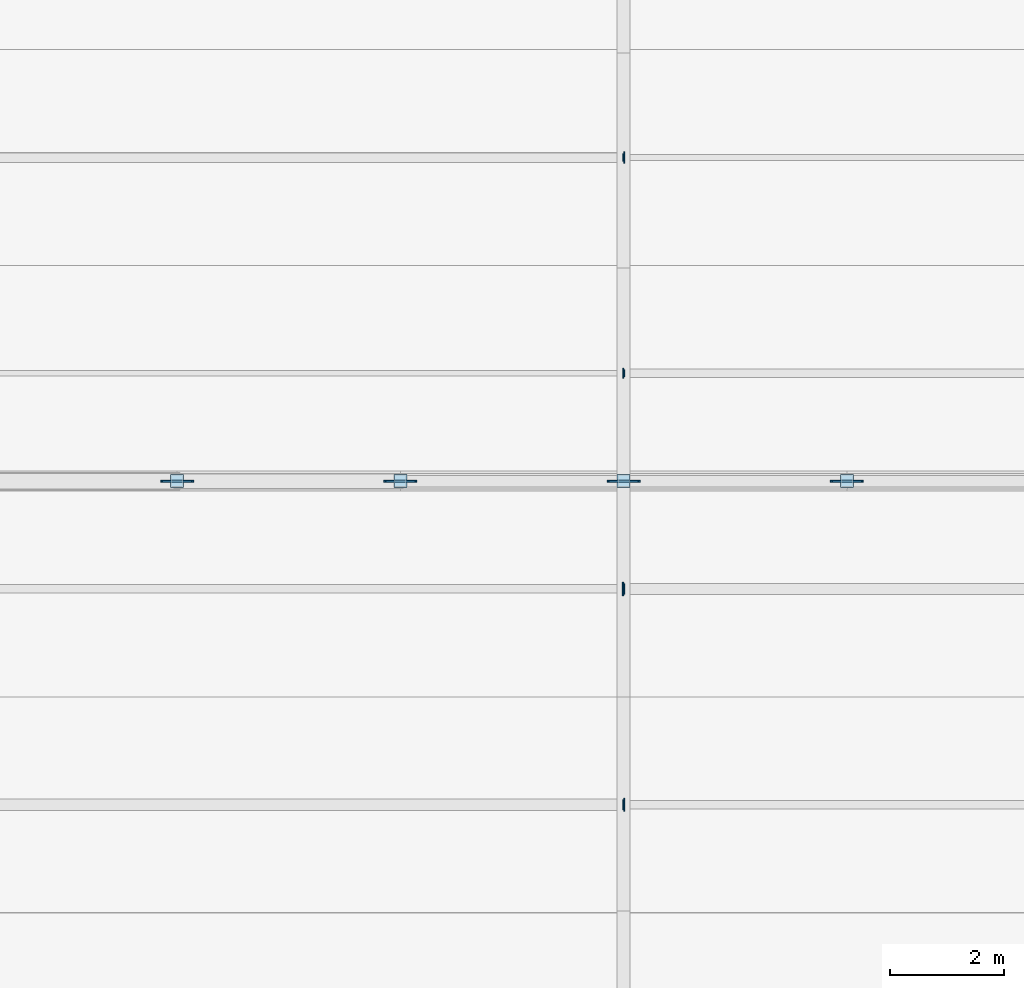
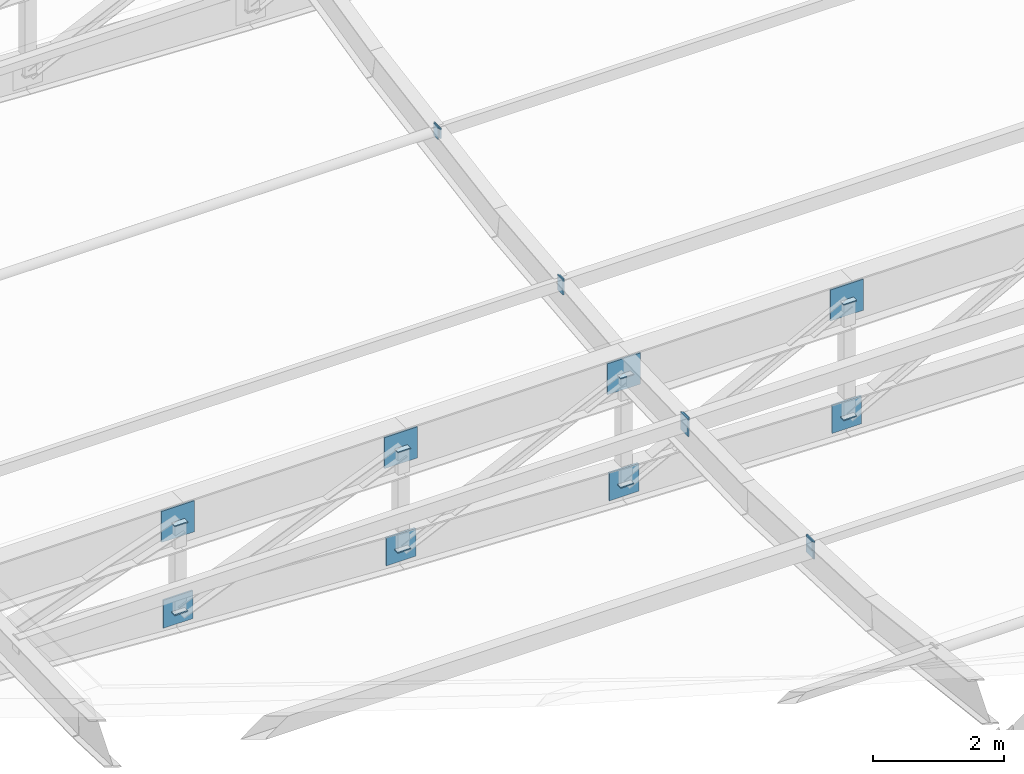
# One storey, part 47 of 65: 24 plates.
"""IFC4 building model written with IfcOpenShell, lengths in metres."""

import ifcopenshell
import ifcopenshell.guid

model = None  # the IFC model being written
_history = None  # IfcOwnerHistory: only IFC2X3 demands one
_inside = {}  # id of a spatial element -> (the spatial element, [elements in it])
_under = {}  # id of a project, library or spatial element -> (it, [spatial elements below it])
_declared = {}  # id of a project -> (the project, [libraries it declares])
_typed = {}  # id of a type object -> (the type object, [elements of that type])
_made_of = {}  # id of a material, layer set ... -> (it, [elements and type objects made of it])


def new_model(schema):
    """Start an empty IFC model of exactly this schema.

    Asked for "IFC4X3", IfcOpenShell would pick the latest addendum, in which some entities
    have other attributes; the version numbers below select the first issue.
    IFC2X3 requires an IfcOwnerHistory on every rooted entity: one is made here for all.
    """
    global model, _history
    if schema == "IFC4X3":
        model = ifcopenshell.file(schema_version=(4, 3, 0, 0))
    else:
        model = ifcopenshell.file(schema=schema)
    _inside.clear()
    _under.clear()
    _declared.clear()
    _typed.clear()
    _made_of.clear()
    _history = None
    if model.schema == "IFC2X3":
        org = make("IfcOrganization", Name="unknown")
        user = make(
            "IfcPersonAndOrganization",
            ThePerson=make("IfcPerson", FamilyName="unknown"),
            TheOrganization=org,
        )
        app = make(
            "IfcApplication",
            ApplicationDeveloper=org,
            Version="unknown",
            ApplicationFullName="unknown",
            ApplicationIdentifier="unknown",
        )
        _history = make(
            "IfcOwnerHistory",
            OwningUser=user,
            OwningApplication=app,
            ChangeAction="ADDED",
            CreationDate=0,
        )
    return model


def make(cls, **values):
    """One entity of the class cls with the attributes given. An attribute that is None is left unset."""
    return model.create_entity(
        cls, **{name: value for name, value in values.items() if value is not None}
    )


def rooted(cls, **values):
    """An entity with a GlobalId (a new one), such as an element, a storey or a relation."""
    return make(cls, GlobalId=ifcopenshell.guid.new(), OwnerHistory=_history, **values)


def si_unit(unit_type, name, prefix=None):
    """IfcSIUnit, for example si_unit("LENGTHUNIT", "METRE", prefix="MILLI")."""
    return make("IfcSIUnit", UnitType=unit_type, Prefix=prefix, Name=name)


def assignment(units):
    """IfcUnitAssignment: the units of a project."""
    return None if units is None else make("IfcUnitAssignment", Units=units)


def point(xyz):
    """IfcCartesianPoint."""
    return None if xyz is None else make("IfcCartesianPoint", Coordinates=xyz)


def direction(xyz):
    """IfcDirection."""
    return None if xyz is None else make("IfcDirection", DirectionRatios=xyz)


def frame(location, z_axis=None, x_axis=None):
    """IfcAxis2Placement3D, a coordinate frame: its origin and axes. An axis left out is left unset."""
    return make(
        "IfcAxis2Placement3D",
        Location=point(location),
        Axis=direction(z_axis),
        RefDirection=direction(x_axis),
    )


def frame_2d(location, x_axis=None):
    """IfcAxis2Placement2D, a coordinate frame in the plane: its origin and x axis."""
    return make(
        "IfcAxis2Placement2D", Location=point(location), RefDirection=direction(x_axis)
    )


def origin():
    """The frame at (0, 0, 0) with its axes left unset."""
    return frame((0.0, 0.0, 0.0))


def origin_2d():
    """The frame at (0, 0) in the plane with its x axis left unset."""
    return frame_2d((0.0, 0.0))


def place(relative_to, where):
    """IfcLocalPlacement: puts the frame where relative to a parent placement (None: the world)."""
    return make(
        "IfcLocalPlacement", PlacementRelTo=relative_to, RelativePlacement=where
    )


def context(
    kind, dimensions, precision=None, world=None, true_north=None, identifier=None
):
    """IfcGeometricRepresentationContext, for example the 3D "Model" context."""
    return make(
        "IfcGeometricRepresentationContext",
        ContextIdentifier=identifier,
        ContextType=kind,
        CoordinateSpaceDimension=dimensions,
        Precision=precision,
        WorldCoordinateSystem=world,
        TrueNorth=true_north,
    )


def subcontext(parent, identifier, kind, view, scale=None):
    """IfcGeometricRepresentationSubContext, for example "Body" below "Model"."""
    return make(
        "IfcGeometricRepresentationSubContext",
        ContextIdentifier=identifier,
        ContextType=kind,
        ParentContext=parent,
        TargetScale=scale,
        TargetView=view,
    )


def project(units=None, contexts=None):
    """IfcProject with its units and contexts."""
    return rooted(
        "IfcProject",
        Name="project",
        RepresentationContexts=contexts,
        UnitsInContext=assignment(units),
    )


def spatial(cls, under=None, at=None, **own):
    """A site, building, storey or space (cls), placed at a placement, below another one or the project."""
    s = rooted(cls, ObjectPlacement=at, **own)
    if under is not None:
        _under.setdefault(under.id(), (under, []))[1].append(s)
    return s


def profile(cls, at=None, kind="AREA", **sizes):
    """A parametric profile (cls). Its sizes go by their IFC names, for example OverallWidth=200.0."""
    return make(cls, ProfileType=kind, Position=at, **sizes)


def rectangle(**sizes):
    """IfcRectangleProfileDef."""
    return profile("IfcRectangleProfileDef", **sizes)


def extrude(swept, where, along, depth):
    """IfcExtrudedAreaSolid: the profile swept, set in the frame where, extruded along a direction by depth."""
    return make(
        "IfcExtrudedAreaSolid",
        SweptArea=swept,
        Position=where,
        ExtrudedDirection=direction(along),
        Depth=depth,
    )


def shape(context_of_items, identifier, shape_type, items):
    """IfcShapeRepresentation: the items that make up one representation, for example the "Body"."""
    return make(
        "IfcShapeRepresentation",
        ContextOfItems=context_of_items,
        RepresentationIdentifier=identifier,
        RepresentationType=shape_type,
        Items=items,
    )


def material(Name=None, Category=None):
    """IfcMaterial."""
    return make("IfcMaterial", Name=Name, Category=Category)


def layer(
    of_material, thickness, ventilated=None, Name=None, Category=None, Priority=None
):
    """IfcMaterialLayer: one layer of a wall or slab, of a material (None: an air gap)."""
    return make(
        "IfcMaterialLayer",
        Material=of_material,
        LayerThickness=thickness,
        IsVentilated=ventilated,
        Name=Name,
        Category=Category,
        Priority=Priority,
    )


def layer_set(layers, Name=None):
    """IfcMaterialLayerSet."""
    return make("IfcMaterialLayerSet", MaterialLayers=layers, LayerSetName=Name)


def made_of(thing, what):
    """Note that an element or type object is made of a material, layer set ...; save() writes the relation."""
    if what is not None:
        _made_of.setdefault(what.id(), (what, []))[1].append(thing)
    return thing


def type_object(cls, material=None, **own):
    """A type object (cls), such as IfcWallType, which elements share."""
    return made_of(rooted(cls, **own), material)


def element(
    cls,
    number,
    at=None,
    inside=None,
    cuts=None,
    type_object=None,
    material=None,
    context=None,
    identifier="Body",
    shape_type=None,
    held_by="IfcProductDefinitionShape",
    body=None,
    shapes=None,
    **own,
):
    """One element of the class cls, such as IfcWall. Its Tag is "e" and its number.

    at: its placement. inside: the storey or other place that contains it. cuts: it is an
    opening in that element (IfcRelVoidsElement). A single representation is given by context,
    identifier, shape_type and body (its items); several are given by shapes. held_by: the class
    of the entity that holds the representations. save() writes the other relations.
    """
    e = rooted(cls, Tag="e%d" % number, ObjectPlacement=at, **own)
    if body is not None:
        shapes = [shape(context, identifier, shape_type, body)]
    if shapes is not None:
        e.Representation = make(held_by, Representations=shapes)
    if inside is not None:
        _inside.setdefault(inside.id(), (inside, []))[1].append(e)
    if cuts is not None:
        rooted(
            "IfcRelVoidsElement", RelatingBuildingElement=cuts, RelatedOpeningElement=e
        )
    if type_object is not None:
        _typed.setdefault(type_object.id(), (type_object, []))[1].append(e)
    return made_of(e, material)


def aggregate(whole, parts):
    """IfcRelAggregates: a whole, such as a stair, and the parts it consists of."""
    return rooted("IfcRelAggregates", RelatingObject=whole, RelatedObjects=parts)


def save(model, path):
    """Write the relations noted so far, then the file.

    IfcRelAggregates (storeys below a building ...), IfcRelContainedInSpatialStructure (elements
    in a storey), IfcRelDefinesByType, IfcRelAssociatesMaterial and IfcRelDeclares: one each for
    every whole, place, type object, material and project.
    """
    for whole, parts in _under.values():
        aggregate(whole, parts)
    for where, things in _inside.values():
        rooted(
            "IfcRelContainedInSpatialStructure",
            RelatedElements=things,
            RelatingStructure=where,
        )
    for kind, things in _typed.values():
        rooted("IfcRelDefinesByType", RelatedObjects=things, RelatingType=kind)
    for what, things in _made_of.values():
        rooted("IfcRelAssociatesMaterial", RelatedObjects=things, RelatingMaterial=what)
    for by, libraries in _declared.values():
        rooted("IfcRelDeclares", RelatingContext=by, RelatedDefinitions=libraries)
    model.write(path)


model = new_model("IFC4")

# Units and contexts
model_context = context("Model", 3, precision=1e-05, world=origin(), true_north=direction((0.0, 1.0)))
body_context = subcontext(model_context, "Body", "Model", "MODEL_VIEW")
ifc_project = project(units=[si_unit("LENGTHUNIT", "METRE"), si_unit("AREAUNIT", "SQUARE_METRE"), si_unit("VOLUMEUNIT", "CUBIC_METRE"), si_unit("PLANEANGLEUNIT", "RADIAN"), si_unit("MASSUNIT", "GRAM", prefix="KILO"), si_unit("POWERUNIT", "WATT"), si_unit("THERMODYNAMICTEMPERATUREUNIT", "KELVIN")], contexts=[model_context])

# Site, building, storey
site_placement = place(None, origin())
site = spatial("IfcSite", under=ifc_project, at=site_placement, CompositionType="ELEMENT")
building_placement = place(site_placement, origin())
building = spatial("IfcBuilding", under=site, at=building_placement, Name="Kelmbourne Parkland Aquatics Centre", CompositionType="ELEMENT")
storey_placement = place(building_placement, frame((0.0, 0.0, 27.0)))
storey = spatial("IfcBuildingStorey", under=building, at=storey_placement, Name="RF", CompositionType="ELEMENT", Elevation=27.0)

# Plates
ifc_material = material(Name="Welded plate steel AS/NZS 3678 Grade 350", Category="steel")
ifc_layer_1 = layer(ifc_material, 0.02001953125)
ifc_layer_set_1 = layer_set([ifc_layer_1], Name="Welded plate steel AS/NZS 3678 Grade 350")
plate_type_1 = type_object("IfcPlateType", Name="PL-CAP-20", PredefinedType="USERDEFINED", material=ifc_layer_set_1)
for number, where, z_axis, x_axis, name in (
    (1, (131.933349609375, 57.800048828125, -14.542236328125), (0.0, 0.0, 1.0), (1.0, 0.0, 0.0), "Hollow end cap plate CAP-0147"),
    (2, (131.933349609375, 57.800048828125, -12.884521484375), (0.0, 0.0, 1.0), (1.0, 0.0, 0.0), "Hollow end cap plate CAP-0148"),
    (3, (135.86669921875, 57.800048828125, -14.7548828125), (0.0, 0.0, 1.0), (1.0, 0.0, 0.0), "Hollow end cap plate CAP-0149"),
    (4, (135.86669921875, 57.800048828125, -12.884521484375), (0.0, 0.0, 1.0), (1.0, 0.0, 0.0), "Hollow end cap plate CAP-0150"),
    (5, (139.800048828125, 57.800048828125, -14.920166015625), (0.0, 0.0, 1.0), (1.0, 0.0, 0.0), "Hollow end cap plate CAP-0151"),
    (6, (139.800048828125, 57.800048828125, -12.884521484375), (0.0, 0.0, 1.0), (1.0, 0.0, 0.0), "Hollow end cap plate CAP-0152"),
    (7, (143.7333984375, 57.800048828125, -15.038330078125), (0.0, 0.0, 1.0), (1.0, 0.0, 0.0), "Hollow end cap plate CAP-0153"),
    (8, (143.7333984375, 57.800048828125, -12.884521484375), (0.0, 0.0, 1.0), (1.0, 0.0, 0.0), "Hollow end cap plate CAP-0154"),
):
    element("IfcPlate", number, at=place(storey_placement, frame(where, z_axis=z_axis, x_axis=x_axis)), inside=storey, type_object=plate_type_1, Name=name, ObjectType="END CAP PLATE", PredefinedType="USERDEFINED", context=body_context, shape_type="SweptSolid", body=[
        extrude(rectangle(XDim=0.22998046875, YDim=0.22998046875, at=origin_2d()), origin(), (0.0, 0.0, 1.0), 0.02001953125),
    ])
plate_1_placement = place(storey_placement, frame((139.791015625, 52.10009765625, -12.67822265625), z_axis=(0.0, 0.0, 1.0), x_axis=(-1.0, 0.0, 0.0)))
element("IfcPlate", 9, at=plate_1_placement, inside=storey, type_object=plate_type_1, Name="Hollow end cap plate CAP-0407", ObjectType="END CAP PLATE", PredefinedType="USERDEFINED", context=body_context, shape_type="SweptSolid", body=[
    extrude(rectangle(XDim=0.02001953125, YDim=0.179931640625, at=origin_2d()), origin(), (0.0, 0.0, 1.0), 0.179931640625),
])
plate_2_placement = place(storey_placement, frame((139.80908203125, 55.89990234375, -12.78662109375), z_axis=(0.0, 0.0, 1.0), x_axis=(1.0, 0.0, 0.0)))
element("IfcPlate", 10, at=plate_2_placement, inside=storey, type_object=plate_type_1, Name="Hollow end cap plate CAP-0414", ObjectType="END CAP PLATE", PredefinedType="USERDEFINED", context=body_context, shape_type="SweptSolid", body=[
    extrude(rectangle(XDim=0.02001953125, YDim=0.179931640625, at=origin_2d()), origin(), (0.0, 0.0, 1.0), 0.280029296875),
])
plate_3_placement = place(storey_placement, frame((139.80908203125, 59.699951171875, -12.466552734375), z_axis=(0.0, 0.0, 1.0), x_axis=(1.0, 0.0, 0.0)))
element("IfcPlate", 11, at=plate_3_placement, inside=storey, type_object=plate_type_1, Name="Hollow end cap plate CAP-0422", ObjectType="END CAP PLATE", PredefinedType="USERDEFINED", context=body_context, shape_type="SweptSolid", body=[
    extrude(rectangle(XDim=0.02001953125, YDim=0.1298828125, at=origin_2d()), origin(), (0.0, 0.0, 1.0), 0.22998046875),
])
plate_4_placement = place(storey_placement, frame((139.791015625, 59.699951171875, -12.5166015625), z_axis=(0.0, 0.0, 1.0), x_axis=(-1.0, 0.0, 0.0)))
element("IfcPlate", 12, at=plate_4_placement, inside=storey, type_object=plate_type_1, Name="Hollow end cap plate CAP-0423", ObjectType="END CAP PLATE", PredefinedType="USERDEFINED", context=body_context, shape_type="SweptSolid", body=[
    extrude(rectangle(XDim=0.02001953125, YDim=0.179931640625, at=origin_2d()), origin(), (0.0, 0.0, 1.0), 0.280029296875),
])
plate_5_placement = place(storey_placement, frame((139.80908203125, 63.5, -11.90478515625), z_axis=(0.0, 0.0, 1.0), x_axis=(1.0, 0.0, 0.0)))
element("IfcPlate", 13, at=plate_5_placement, inside=storey, type_object=plate_type_1, Name="Hollow end cap plate CAP-0430", ObjectType="END CAP PLATE", PredefinedType="USERDEFINED", context=body_context, shape_type="SweptSolid", body=[
    extrude(rectangle(XDim=0.02001953125, YDim=0.1982421875, at=origin_2d()), origin(), (0.0, 0.0, 1.0), 0.1982421875),
])
plate_6_placement = place(storey_placement, frame((139.791015625, 63.5, -11.936279296875), z_axis=(0.0, 0.0, 1.0), x_axis=(-1.0, 0.0, 0.0)))
element("IfcPlate", 14, at=plate_6_placement, inside=storey, type_object=plate_type_1, Name="Hollow end cap plate CAP-0431", ObjectType="END CAP PLATE", PredefinedType="USERDEFINED", context=body_context, shape_type="SweptSolid", body=[
    extrude(rectangle(XDim=0.02001953125, YDim=0.1298828125, at=origin_2d()), origin(), (0.0, 0.0, 1.0), 0.22998046875),
])
ifc_layer_2 = layer(ifc_material, 0.02392578125)
ifc_layer_set_2 = layer_set([ifc_layer_2], Name="Welded plate steel AS/NZS 3678 Grade 350")
plate_type_2 = type_object("IfcPlateType", Name="PL-CAP-24", PredefinedType="USERDEFINED", material=ifc_layer_set_2)
for number, where, z_axis, x_axis, name in (
    (15, (139.81103515625, 52.10009765625, -12.82861328125), (0.0, 0.0, 1.0), (1.0, 0.0, 0.0), "Hollow end cap plate CAP-0406"),
    (16, (139.7890625, 55.89990234375, -12.8369140625), (0.0, 0.0, 1.0), (-1.0, 0.0, 0.0), "Hollow end cap plate CAP-0415"),
):
    element("IfcPlate", number, at=place(storey_placement, frame(where, z_axis=z_axis, x_axis=x_axis)), inside=storey, type_object=plate_type_2, Name=name, ObjectType="END CAP PLATE", PredefinedType="USERDEFINED", context=body_context, shape_type="SweptSolid", body=[
        extrude(rectangle(XDim=0.02392578125, YDim=0.22998046875, at=origin_2d()), origin(), (0.0, 0.0, 1.0), 0.330078125),
    ])
ifc_layer_3 = layer(ifc_material, 0.031982421875)
ifc_layer_set_3 = layer_set([ifc_layer_3], Name="Welded plate steel AS/NZS 3678 Grade 350")
plate_type_3 = type_object("IfcPlateType", Name="PL-GUS-3", PredefinedType="USERDEFINED", material=ifc_layer_set_3)
plate_7_placement = place(storey_placement, frame((131.933349609375, 57.800048828125, -13.173583984375), z_axis=(0.0, 0.0, 1.0), x_axis=(1.0, 0.0, 0.0)))
element("IfcPlate", 17, at=plate_7_placement, inside=storey, type_object=plate_type_3, Name="Truss top node TN-3 gusset plate R05-N1", ObjectType="GUSSET PLATE", PredefinedType="USERDEFINED", context=body_context, shape_type="SweptSolid", body=[
    extrude(rectangle(XDim=0.580078125, YDim=0.031982421875, at=origin_2d()), origin(), (0.0, 0.0, 1.0), 0.580078125),
])
plate_8_placement = place(storey_placement, frame((131.933349609375, 57.800048828125, -14.783203125), z_axis=(0.0, 0.0, 1.0), x_axis=(1.0, 0.0, 0.0)))
element("IfcPlate", 18, at=plate_8_placement, inside=storey, type_object=plate_type_3, Name="Truss bottom node TN-3 gusset plate R05-B1", ObjectType="GUSSET PLATE", PredefinedType="USERDEFINED", context=body_context, shape_type="SweptSolid", body=[
    extrude(rectangle(XDim=0.52001953125, YDim=0.031982421875, at=origin_2d()), origin(), (0.0, 0.0, 1.0), 0.52001953125),
])
plate_9_placement = place(storey_placement, frame((135.86669921875, 57.800048828125, -13.173583984375), z_axis=(0.0, 0.0, 1.0), x_axis=(1.0, 0.0, 0.0)))
element("IfcPlate", 19, at=plate_9_placement, inside=storey, type_object=plate_type_3, Name="Truss top node TN-3 gusset plate R05-N2", ObjectType="GUSSET PLATE", PredefinedType="USERDEFINED", context=body_context, shape_type="SweptSolid", body=[
    extrude(rectangle(XDim=0.580078125, YDim=0.031982421875, at=origin_2d()), origin(), (0.0, 0.0, 1.0), 0.580078125),
])
plate_10_placement = place(storey_placement, frame((135.86669921875, 57.800048828125, -14.995849609375), z_axis=(0.0, 0.0, 1.0), x_axis=(1.0, 0.0, 0.0)))
element("IfcPlate", 20, at=plate_10_placement, inside=storey, type_object=plate_type_3, Name="Truss bottom node TN-3 gusset plate R05-B2", ObjectType="GUSSET PLATE", PredefinedType="USERDEFINED", context=body_context, shape_type="SweptSolid", body=[
    extrude(rectangle(XDim=0.52001953125, YDim=0.031982421875, at=origin_2d()), origin(), (0.0, 0.0, 1.0), 0.52001953125),
])
plate_11_placement = place(storey_placement, frame((139.800048828125, 57.800048828125, -13.173583984375), z_axis=(0.0, 0.0, 1.0), x_axis=(1.0, 0.0, 0.0)))
element("IfcPlate", 21, at=plate_11_placement, inside=storey, type_object=plate_type_3, Name="Truss top node TN-3 gusset plate R05-N3", ObjectType="GUSSET PLATE", PredefinedType="USERDEFINED", context=body_context, shape_type="SweptSolid", body=[
    extrude(rectangle(XDim=0.580078125, YDim=0.031982421875, at=origin_2d()), origin(), (0.0, 0.0, 1.0), 0.580078125),
])
plate_12_placement = place(storey_placement, frame((139.800048828125, 57.800048828125, -15.1611328125), z_axis=(0.0, 0.0, 1.0), x_axis=(1.0, 0.0, 0.0)))
element("IfcPlate", 22, at=plate_12_placement, inside=storey, type_object=plate_type_3, Name="Truss bottom node TN-3 gusset plate R05-B3", ObjectType="GUSSET PLATE", PredefinedType="USERDEFINED", context=body_context, shape_type="SweptSolid", body=[
    extrude(rectangle(XDim=0.52001953125, YDim=0.031982421875, at=origin_2d()), origin(), (0.0, 0.0, 1.0), 0.52001953125),
])
plate_13_placement = place(storey_placement, frame((143.7333984375, 57.800048828125, -13.173583984375), z_axis=(0.0, 0.0, 1.0), x_axis=(1.0, 0.0, 0.0)))
element("IfcPlate", 23, at=plate_13_placement, inside=storey, type_object=plate_type_3, Name="Truss top node TN-3 gusset plate R05-N4", ObjectType="GUSSET PLATE", PredefinedType="USERDEFINED", context=body_context, shape_type="SweptSolid", body=[
    extrude(rectangle(XDim=0.580078125, YDim=0.031982421875, at=origin_2d()), origin(), (0.0, 0.0, 1.0), 0.580078125),
])
plate_14_placement = place(storey_placement, frame((143.7333984375, 57.800048828125, -15.279296875), z_axis=(0.0, 0.0, 1.0), x_axis=(1.0, 0.0, 0.0)))
element("IfcPlate", 24, at=plate_14_placement, inside=storey, type_object=plate_type_3, Name="Truss bottom node TN-3 gusset plate R05-B4", ObjectType="GUSSET PLATE", PredefinedType="USERDEFINED", context=body_context, shape_type="SweptSolid", body=[
    extrude(rectangle(XDim=0.52001953125, YDim=0.031982421875, at=origin_2d()), origin(), (0.0, 0.0, 1.0), 0.52001953125),
])

save(model, "model.ifc")
